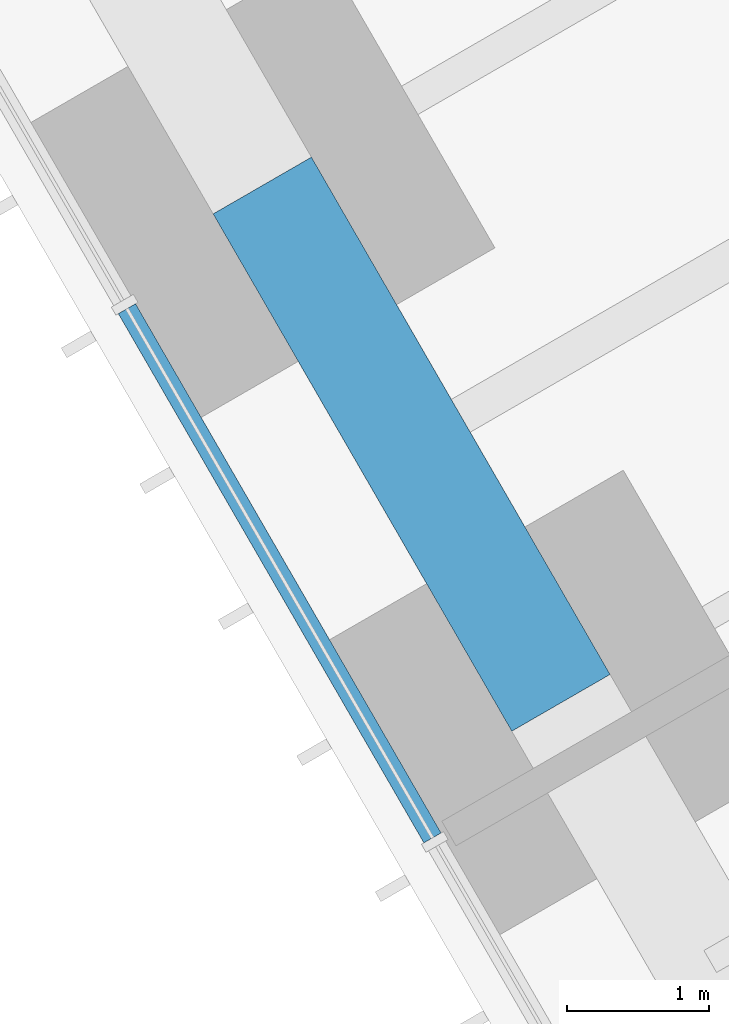
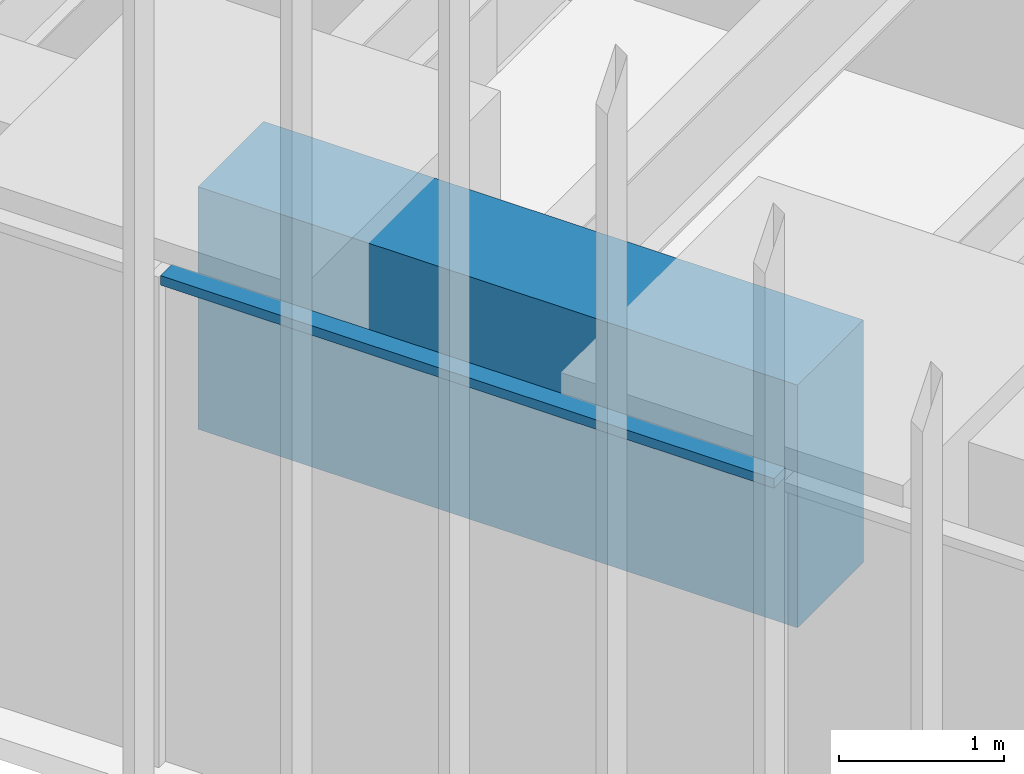
# One storey, part 8 of 256: 1 beam, 1 member, 1 element without a shape of its own.
"""IFC4 building model written with IfcOpenShell, lengths in metres."""

from ifc_helpers import new_model, si_unit, direction, frame, origin, origin_2d, place, context, subcontext, project, spatial, rectangle, extrude, material, material_profile, profile_set, type_object, element, aggregate, save


model = new_model("IFC4")

# Units and contexts
model_context = context("Model", 3, precision=1e-05, world=origin(), true_north=direction((0.0, 1.0)))
body_context = subcontext(model_context, "Body", "Model", "MODEL_VIEW")
ifc_project = project(units=[si_unit("LENGTHUNIT", "METRE"), si_unit("AREAUNIT", "SQUARE_METRE"), si_unit("VOLUMEUNIT", "CUBIC_METRE"), si_unit("PLANEANGLEUNIT", "RADIAN"), si_unit("MASSUNIT", "GRAM", prefix="KILO")], contexts=[model_context])

# Site, building, storey
site_placement = place(None, origin())
site = spatial("IfcSite", under=ifc_project, at=site_placement, CompositionType="ELEMENT")
building_placement = place(site_placement, origin())
building = spatial("IfcBuilding", under=site, at=building_placement, Name="Sandreach Pilgrim Tower", CompositionType="ELEMENT")
storey_placement = place(building_placement, frame((0.0, 0.0, 23.0)))
storey = spatial("IfcBuildingStorey", under=building, at=storey_placement, Name="L04", CompositionType="ELEMENT", Elevation=23.0)

# Curtain wall, member
ifc_material_1 = material(Name="Aluminium framed curtain wall", Category="aluminium")
curtain_wall_type = type_object("IfcCurtainWallType", Name="Hostel tower curtain wall", PredefinedType="NOTDEFINED", material=ifc_material_1)
curtain_wall_placement = place(storey_placement, origin())
curtain_wall = element("IfcCurtainWall", 1, at=curtain_wall_placement, inside=storey, type_object=curtain_wall_type, Name="CW-1 L04 SW", PredefinedType="NOTDEFINED")
ifc_material_2 = material(Name="Aluminium extrusion", Category="aluminium")
ifc_material_profile_1 = material_profile(ifc_material_2, rectangle(XDim=0.139892578125, YDim=0.070068359375, at=origin_2d()), Name="CW-1T 140X70")
ifc_profile_set_1 = profile_set([ifc_material_profile_1], Name="Aluminium extrusion")
member_type = type_object("IfcMemberType", Name="CW-1 transom", PredefinedType="USERDEFINED", material=ifc_profile_set_1)
member_placement = place(storey_placement, frame((-15.2919921875, -21.410888671875, 3.60498046875), z_axis=(-0.500016891966, 0.866015650984, 0.0), x_axis=(-0.866015650984, -0.500016891966, 0.0)))
member = element("IfcMember", 2, at=member_placement, type_object=member_type, Name="CW-1 head transom 3", ObjectType="TRANSOM", PredefinedType="USERDEFINED", context=body_context, shape_type="SweptSolid", body=[
    extrude(rectangle(XDim=0.139892578125, YDim=0.070068359375, at=origin_2d()), origin(), (0.0, 0.0, 1.0), 4.306396484375),
])
aggregate(curtain_wall, [member])

# Beam
ifc_material_3 = material(Name="Concrete 10000 psi", Category="concrete")
ifc_material_profile_2 = material_profile(ifc_material_3, rectangle(XDim=0.800048828125, YDim=1.800048828125, at=origin_2d()), Name="RC800X1800")
ifc_profile_set_2 = profile_set([ifc_material_profile_2], Name="Concrete 10000 psi")
beam_type = type_object("IfcBeamType", Name="Spandrel beam RC800X1800", PredefinedType="SPANDREL", material=ifc_profile_set_2)
beam_placement = place(storey_placement, frame((-14.38671875, -20.458984375, 2.739990234375), z_axis=(-0.499975138639, 0.866039757022, 0.0), x_axis=(-0.866039757022, -0.499975138639, 0.0)))
element("IfcBeam", 3, at=beam_placement, inside=storey, type_object=beam_type, Name="BM L04 SP28", PredefinedType="SPANDREL", context=body_context, shape_type="SweptSolid", body=[
    extrude(rectangle(XDim=0.800048828125, YDim=1.800048828125, at=origin_2d()), origin(), (0.0, 0.0, 1.0), 4.209716796875),
])

save(model, "model.ifc")
